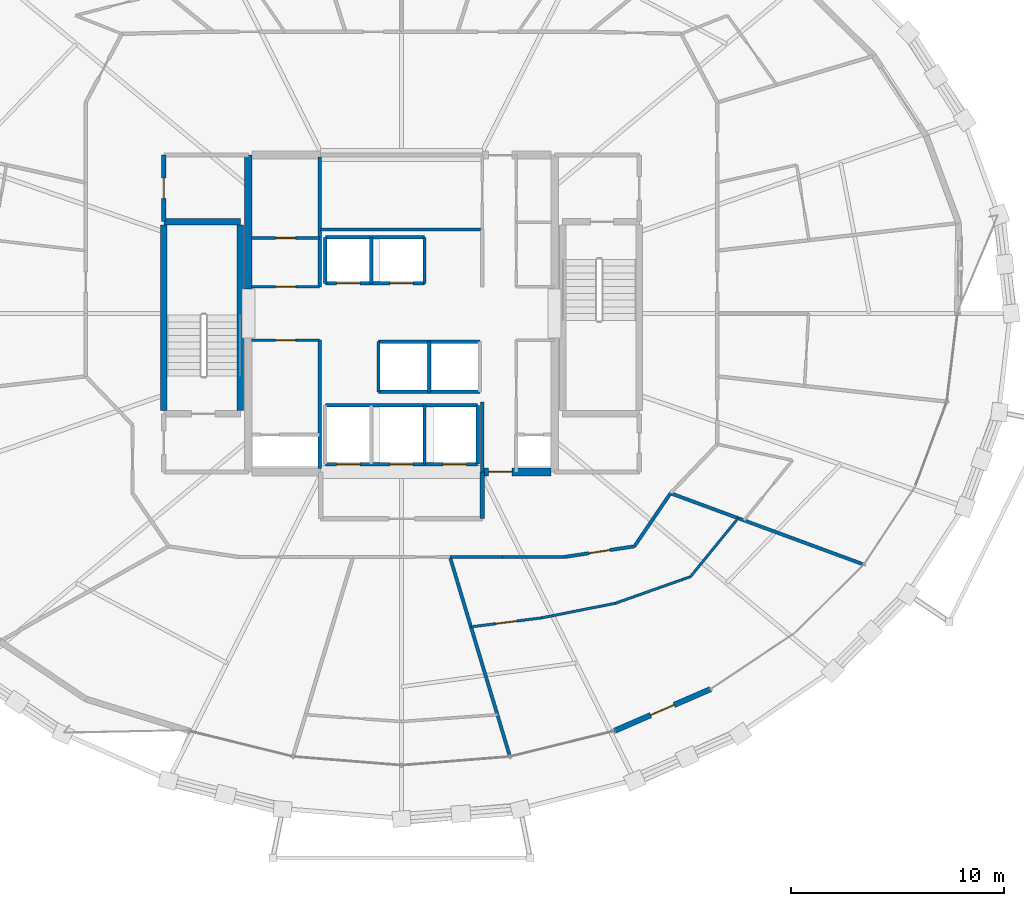
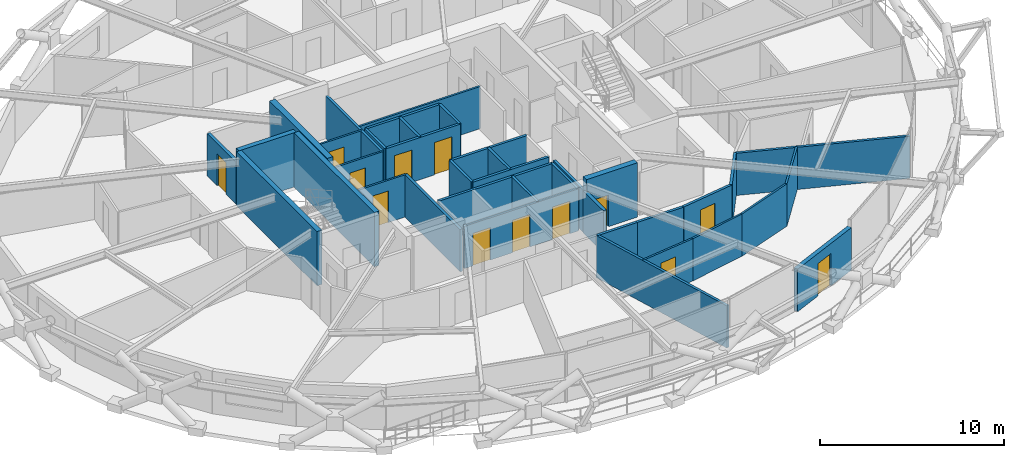
# One storey, part 15 of 21: 38 walls, 13 doors, 13 openings.
"""IFC4 building model written with IfcOpenShell, lengths in metres."""

from ifc_helpers import new_model, si_unit, direction, frame, frame_2d, origin, place, context, subcontext, project, spatial, rectangle, extrude, material, layer, layer_set, type_object, element, fill, save


model = new_model("IFC4")

# Units and contexts
model_context = context("Model", 3, precision=1e-05, world=origin(), true_north=direction((0.0, 1.0)))
body_context = subcontext(model_context, "Body", "Model", "MODEL_VIEW")
ifc_project = project(units=[si_unit("LENGTHUNIT", "METRE"), si_unit("AREAUNIT", "SQUARE_METRE"), si_unit("VOLUMEUNIT", "CUBIC_METRE"), si_unit("PLANEANGLEUNIT", "RADIAN"), si_unit("MASSUNIT", "GRAM", prefix="KILO")], contexts=[model_context])

# Site, building, storey
site_placement = place(None, origin())
site = spatial("IfcSite", under=ifc_project, at=site_placement, CompositionType="ELEMENT")
building_placement = place(site_placement, origin())
building = spatial("IfcBuilding", under=site, at=building_placement, Name="Veldorina Hangang Commons", CompositionType="ELEMENT")
storey_placement = place(building_placement, frame((0.0, 0.0, 120.800048828125)))
storey = spatial("IfcBuildingStorey", under=building, at=storey_placement, Name="L30", CompositionType="ELEMENT", Elevation=120.800048828125)

# Wall
ifc_material_1 = material(Name="Concrete C60/75", Category="concrete")
ifc_layer_1 = layer(ifc_material_1, 0.360107421875)
ifc_layer_set_1 = layer_set([ifc_layer_1], Name="Concrete C60/75")
wall_type_1 = type_object("IfcWallType", Name="CW-RC360-C60", PredefinedType="SHEAR", material=ifc_layer_set_1)
wall_1_placement = place(storey_placement, frame((24.800048828125, 25.14990234375, 0.0), z_axis=(0.0, 0.0, 1.0), x_axis=(0.0, 1.0, 0.0)))
element("IfcWall", 1, at=wall_1_placement, inside=storey, type_object=wall_type_1, Name="L30 W north core shear wall", PredefinedType="SHEAR", context=body_context, shape_type="SweptSolid", body=[
    extrude(rectangle(XDim=6.300048828125, YDim=0.360107421875, at=frame_2d((3.14990234375, 0.0))), origin(), (0.0, 0.0, 1.0), 3.599853515625),
])

# Wall, opening, door
wall_2_placement = place(storey_placement, frame((35.800048828125, 16.550048828125, 0.0), z_axis=(0.0, 0.0, 1.0), x_axis=(1.0, 0.0, 0.0)))
wall_2 = element("IfcWall", 2, at=wall_2_placement, inside=storey, type_object=wall_type_1, Name="L30 south-east core shear wall", PredefinedType="SHEAR", context=body_context, shape_type="SweptSolid", body=[
    extrude(rectangle(XDim=3.219970703125, YDim=0.360107421875, at=frame_2d((1.60986328125, 0.0))), origin(), (0.0, 0.0, 1.0), 3.599853515625),
])
opening_1_placement = place(wall_2_placement, frame((0.300048828125, 0.0, 0.0)))
opening_1 = element("IfcOpeningElement", 3, at=opening_1_placement, cuts=wall_2, Name="Opening D-08", PredefinedType="OPENING", context=body_context, shape_type="SweptSolid", body=[
    extrude(rectangle(XDim=1.10009765625, YDim=2.10009765625, at=frame_2d((0.550048828125, 1.050048828125))), frame((0.0, 0.18994140625, 0.0), z_axis=(0.0, -1.0, 0.0), x_axis=(1.0, 0.0, 0.0)), (0.0, 0.0, 1.0), 0.380126953125),
])
ifc_material_2 = material(Name="Steel Fire-Rated Smoke Seal", Category="steel")
door_type_1 = type_object("IfcDoorType", Name="DR-FIRE-1100", OperationType="SINGLE_SWING_RIGHT", PredefinedType="DOOR", material=ifc_material_2)
door_1_placement = place(opening_1_placement, origin())
door_1 = element("IfcDoor", 4, at=door_1_placement, inside=storey, type_object=door_type_1, Name="L30 central lift lobby south corridor door", OperationType="SINGLE_SWING_RIGHT", OverallHeight=2.10009765625, OverallWidth=1.10009765625, PredefinedType="DOOR", context=body_context, shape_type="SweptSolid", body=[
    extrude(rectangle(XDim=1.10009765625, YDim=2.10009765625, at=frame_2d((0.550048828125, 1.050048828125))), frame((0.0, 0.02490234375, 0.0), z_axis=(0.0, -1.0, 0.0), x_axis=(1.0, 0.0, 0.0)), (0.0, 0.0, 1.0), 0.050048828125),
])
fill(opening_1, door_1)

ifc_material_3 = material(Name="Stone Roman Travertine", Category="masonry")
ifc_layer_2 = layer(ifc_material_3, 0.260009765625)
ifc_layer_set_2 = layer_set([ifc_layer_2], Name="Stone Roman Travertine")
wall_type_2 = type_object("IfcWallType", Name="EW-LOGGIA-260", PredefinedType="STANDARD", material=ifc_layer_set_2)
wall_3_placement = place(storey_placement, frame((42.006103515625, 4.370361328125, 0.0), z_axis=(0.0, 0.0, 1.0), x_axis=(0.917222773232, 0.398374678242, 0.0)))
wall_3 = element("IfcWall", 5, at=wall_3_placement, inside=storey, type_object=wall_type_2, Name="L30 sky-garden loggia portal wall 26", PredefinedType="STANDARD", context=body_context, shape_type="SweptSolid", body=[
    extrude(rectangle(XDim=4.928466796875, YDim=0.260009765625, at=frame_2d((2.46435546875, 0.0))), origin(), (0.0, 0.0, 1.0), 2.820068359375),
])
opening_2_placement = place(wall_3_placement, frame((1.8642578125, 0.0, 0.0)))
opening_2 = element("IfcOpeningElement", 6, at=opening_2_placement, cuts=wall_3, Name="Opening BD-1200", PredefinedType="OPENING", context=body_context, shape_type="SweptSolid", body=[
    extrude(rectangle(XDim=1.199951171875, YDim=2.14990234375, at=frame_2d((0.60009765625, 1.074951171875))), frame((0.0, 0.14013671875, 0.0), z_axis=(0.0, -1.0, 0.0), x_axis=(1.0, 0.0, 0.0)), (0.0, 0.0, 1.0), 0.280029296875),
])
ifc_material_4 = material(Name="Glass Thermal Aluminium Frame", Category="aluminium")
door_type_2 = type_object("IfcDoorType", Name="DR-EXT-LOG1200", OperationType="SINGLE_SWING_LEFT", PredefinedType="DOOR", material=ifc_material_4)
door_2_placement = place(opening_2_placement, origin())
door_2 = element("IfcDoor", 7, at=door_2_placement, inside=storey, type_object=door_type_2, Name="L30 loggia glazed exterior door 26", OperationType="SINGLE_SWING_LEFT", OverallHeight=2.14990234375, OverallWidth=1.199951171875, PredefinedType="DOOR", context=body_context, shape_type="SweptSolid", body=[
    extrude(rectangle(XDim=1.199951171875, YDim=2.14990234375, at=frame_2d((0.60009765625, 1.074951171875))), frame((0.0, 0.02490234375, 0.0), z_axis=(0.0, -1.0, 0.0), x_axis=(1.0, 0.0, 0.0)), (0.0, 0.0, 1.0), 0.050048828125),
])
fill(opening_2, door_2)

# Walls
ifc_material_5 = material(Name="Concrete C50/60", Category="concrete")
ifc_layer_3 = layer(ifc_material_5, 0.300048828125)
ifc_layer_set_3 = layer_set([ifc_layer_3], Name="Concrete C50/60")
wall_type_3 = type_object("IfcWallType", Name="SW-STAIR-300", PredefinedType="SHEAR", material=ifc_layer_set_3)
for number, where, z_axis, x_axis, name in (
    (8, (20.820068359375, 19.429931640625, 0.0), (0.0, 0.0, 1.0), (0.0, 1.0, 0.0), "L30 ST1 outer stair shear wall"),
    (9, (24.419921875, 19.429931640625, 0.0), (0.0, 0.0, 1.0), (0.0, 1.0, 0.0), "L30 ST1 inner stair shear wall"),
):
    element("IfcWall", number, at=place(storey_placement, frame(where, z_axis=z_axis, x_axis=x_axis)), inside=storey, type_object=wall_type_3, Name=name, PredefinedType="SHEAR", context=body_context, shape_type="SweptSolid", body=[
        extrude(rectangle(XDim=8.739990234375, YDim=0.300048828125, at=frame_2d((4.3701171875, 0.0))), origin(), (0.0, 0.0, 1.0), 3.599853515625),
    ])
wall_4_placement = place(storey_placement, frame((20.820068359375, 28.320068359375, 0.0), z_axis=(0.0, 0.0, 1.0), x_axis=(1.0, 0.0, 0.0)))
element("IfcWall", 10, at=wall_4_placement, inside=storey, type_object=wall_type_3, Name="L30 ST1 north stair shear wall", PredefinedType="SHEAR", context=body_context, shape_type="SweptSolid", body=[
    extrude(rectangle(XDim=3.599853515625, YDim=0.300048828125, at=frame_2d((1.7998046875, 0.0))), origin(), (0.0, 0.0, 1.0), 3.599853515625),
])
ifc_material_6 = material(Name="Gypsum Fire-Rated Twin Stud Wall", Category="gypsum")
ifc_layer_4 = layer(ifc_material_6, 0.159912109375)
ifc_layer_set_4 = layer_set([ifc_layer_4], Name="Gypsum Fire-Rated Twin Stud Wall")
wall_type_4 = type_object("IfcWallType", Name="WL-FIRE-160", PredefinedType="SOLIDWALL", material=ifc_layer_set_4)
wall_5_placement = place(storey_placement, frame((35.800048828125, 16.550048828125, 0.0), z_axis=(0.0, 0.0, 1.0), x_axis=(0.0, 1.0, 0.0)))
element("IfcWall", 11, at=wall_5_placement, inside=storey, type_object=wall_type_4, Name="L30 Lift passage SW wall 009", PredefinedType="SOLIDWALL", context=body_context, shape_type="SweptSolid", body=[
    extrude(rectangle(XDim=3.300048828125, YDim=0.159912109375, at=frame_2d((1.64990234375, 0.0))), origin(), (0.0, 0.0, 1.0), 2.800048828125),
])

# Wall, openings, doors
wall_6_placement = place(storey_placement, frame((28.419921875, 25.419921875, 0.0), z_axis=(0.0, 0.0, 1.0), x_axis=(1.0, 0.0, 0.0)))
wall_6 = element("IfcWall", 12, at=wall_6_placement, inside=storey, type_object=wall_type_4, Name="L30 Mid-high front shaft wall 015", PredefinedType="SOLIDWALL", context=body_context, shape_type="SweptSolid", body=[
    extrude(rectangle(XDim=4.66015625, YDim=0.159912109375, at=frame_2d((2.330078125, 0.0))), origin(), (0.0, 0.0, 1.0), 2.800048828125),
])
opening_3_placement = place(wall_6_placement, frame((0.530029296875, 0.0, 0.0)))
opening_3 = element("IfcOpeningElement", 13, at=opening_3_placement, cuts=wall_6, Name="Opening LD-01", PredefinedType="OPENING", context=body_context, shape_type="SweptSolid", body=[
    extrude(rectangle(XDim=1.10009765625, YDim=2.14990234375, at=frame_2d((0.550048828125, 1.074951171875))), frame((0.0, 0.08984375, 0.0), z_axis=(0.0, -1.0, 0.0), x_axis=(1.0, 0.0, 0.0)), (0.0, 0.0, 1.0), 0.179931640625),
])
opening_4_placement = place(wall_6_placement, frame((3.030029296875, 0.0, 0.0)))
opening_4 = element("IfcOpeningElement", 14, at=opening_4_placement, cuts=wall_6, Name="Opening LD-01", PredefinedType="OPENING", context=body_context, shape_type="SweptSolid", body=[
    extrude(rectangle(XDim=1.10009765625, YDim=2.14990234375, at=frame_2d((0.550048828125, 1.074951171875))), frame((0.0, 0.08984375, 0.0), z_axis=(0.0, -1.0, 0.0), x_axis=(1.0, 0.0, 0.0)), (0.0, 0.0, 1.0), 0.179931640625),
])
ifc_material_7 = material(Name="Stainless Steel Brushed Lift Door", Category="steel")
door_type_3 = type_object("IfcDoorType", Name="DR-LIFT-1100", OperationType="SLIDING_TO_LEFT", PredefinedType="DOOR", material=ifc_material_7)
door_3_placement = place(opening_3_placement, origin())
door_3 = element("IfcDoor", 15, at=door_3_placement, inside=storey, type_object=door_type_3, Name="L30 Lift PL-M1 landing door 006", OperationType="SLIDING_TO_RIGHT", OverallHeight=2.14990234375, OverallWidth=1.10009765625, PredefinedType="DOOR", context=body_context, shape_type="SweptSolid", body=[
    extrude(rectangle(XDim=1.10009765625, YDim=2.14990234375, at=frame_2d((0.550048828125, 1.074951171875))), frame((0.0, 0.02490234375, 0.0), z_axis=(0.0, -1.0, 0.0), x_axis=(1.0, 0.0, 0.0)), (0.0, 0.0, 1.0), 0.050048828125),
])
fill(opening_3, door_3)
door_4_placement = place(opening_4_placement, origin())
door_4 = element("IfcDoor", 16, at=door_4_placement, inside=storey, type_object=door_type_3, Name="L30 Lift PL-M2 landing door 007", OperationType="SLIDING_TO_RIGHT", OverallHeight=2.14990234375, OverallWidth=1.10009765625, PredefinedType="DOOR", context=body_context, shape_type="SweptSolid", body=[
    extrude(rectangle(XDim=1.10009765625, YDim=2.14990234375, at=frame_2d((0.550048828125, 1.074951171875))), frame((0.0, 0.02490234375, 0.0), z_axis=(0.0, -1.0, 0.0), x_axis=(1.0, 0.0, 0.0)), (0.0, 0.0, 1.0), 0.050048828125),
])
fill(opening_4, door_4)

# Walls
wall_7_placement = place(storey_placement, frame((28.419921875, 27.580078125, 0.0), z_axis=(0.0, 0.0, 1.0), x_axis=(1.0, 0.0, 0.0)))
element("IfcWall", 17, at=wall_7_placement, inside=storey, type_object=wall_type_4, Name="L30 Mid-high rear shaft wall 016", PredefinedType="SOLIDWALL", context=body_context, shape_type="SweptSolid", body=[
    extrude(rectangle(XDim=4.66015625, YDim=0.159912109375, at=frame_2d((2.330078125, 0.0))), origin(), (0.0, 0.0, 1.0), 2.800048828125),
])
for number, where, z_axis, x_axis, name in (
    (18, (28.419921875, 25.419921875, 0.0), (0.0, 0.0, 1.0), (0.0, 1.0, 0.0), "L30 PL-M1 west shaft wall 017"),
    (19, (30.580078125, 25.419921875, 0.0), (0.0, 0.0, 1.0), (0.0, 1.0, 0.0), "L30 PL-M1 east shaft wall 018"),
    (20, (33.080078125, 25.419921875, 0.0), (0.0, 0.0, 1.0), (0.0, 1.0, 0.0), "L30 PL-M2 east shaft wall 019"),
):
    element("IfcWall", number, at=place(storey_placement, frame(where, z_axis=z_axis, x_axis=x_axis)), inside=storey, type_object=wall_type_4, Name=name, PredefinedType="SOLIDWALL", context=body_context, shape_type="SweptSolid", body=[
        extrude(rectangle(XDim=2.16015625, YDim=0.159912109375, at=frame_2d((1.080078125, 0.0))), origin(), (0.0, 0.0, 1.0), 2.800048828125),
    ])
for number, where, z_axis, x_axis, name in (
    (21, (30.919921875, 22.679931640625, 0.0), (0.0, 0.0, 1.0), (1.0, 0.0, 0.0), "L30 Shuttle-high front shaft wall 020"),
    (22, (30.919921875, 20.320068359375, 0.0), (0.0, 0.0, 1.0), (1.0, 0.0, 0.0), "L30 Shuttle-high rear shaft wall 021"),
):
    element("IfcWall", number, at=place(storey_placement, frame(where, z_axis=z_axis, x_axis=x_axis)), inside=storey, type_object=wall_type_4, Name=name, PredefinedType="SOLIDWALL", context=body_context, shape_type="SweptSolid", body=[
        extrude(rectangle(XDim=4.760009765625, YDim=0.159912109375, at=frame_2d((2.3798828125, 0.0))), origin(), (0.0, 0.0, 1.0), 2.800048828125),
    ])
for number, where, z_axis, x_axis, name in (
    (23, (30.919921875, 20.320068359375, 0.0), (0.0, 0.0, 1.0), (0.0, 1.0, 0.0), "L30 SL-1 west shaft wall 022"),
    (24, (33.300048828125, 20.320068359375, 0.0), (0.0, 0.0, 1.0), (0.0, 1.0, 0.0), "L30 SL-1 east shaft wall 023"),
):
    element("IfcWall", number, at=place(storey_placement, frame(where, z_axis=z_axis, x_axis=x_axis)), inside=storey, type_object=wall_type_4, Name=name, PredefinedType="SOLIDWALL", context=body_context, shape_type="SweptSolid", body=[
        extrude(rectangle(XDim=2.35986328125, YDim=0.159912109375, at=frame_2d((1.179931640625, 0.0))), origin(), (0.0, 0.0, 1.0), 2.800048828125),
    ])

# Wall, openings, doors
wall_8_placement = place(storey_placement, frame((28.419921875, 16.919921875, 0.0), z_axis=(0.0, 0.0, 1.0), x_axis=(1.0, 0.0, 0.0)))
wall_8 = element("IfcWall", 25, at=wall_8_placement, inside=storey, type_object=wall_type_4, Name="L30 Emergency front shaft wall 025", PredefinedType="SOLIDWALL", context=body_context, shape_type="SweptSolid", body=[
    extrude(rectangle(XDim=7.16015625, YDim=0.159912109375, at=frame_2d((3.580078125, 0.0))), origin(), (0.0, 0.0, 1.0), 2.800048828125),
])
opening_5_placement = place(wall_8_placement, frame((0.530029296875, 0.0, 0.0)))
opening_5 = element("IfcOpeningElement", 26, at=opening_5_placement, cuts=wall_8, Name="Opening LD-03", PredefinedType="OPENING", context=body_context, shape_type="SweptSolid", body=[
    extrude(rectangle(XDim=1.10009765625, YDim=2.14990234375, at=frame_2d((0.550048828125, 1.074951171875))), frame((0.0, 0.08984375, 0.0), z_axis=(0.0, -1.0, 0.0), x_axis=(1.0, 0.0, 0.0)), (0.0, 0.0, 1.0), 0.179931640625),
])
opening_6_placement = place(wall_8_placement, frame((3.030029296875, 0.0, 0.0)))
opening_6 = element("IfcOpeningElement", 27, at=opening_6_placement, cuts=wall_8, Name="Opening LD-03", PredefinedType="OPENING", context=body_context, shape_type="SweptSolid", body=[
    extrude(rectangle(XDim=1.10009765625, YDim=2.14990234375, at=frame_2d((0.550048828125, 1.074951171875))), frame((0.0, 0.08984375, 0.0), z_axis=(0.0, -1.0, 0.0), x_axis=(1.0, 0.0, 0.0)), (0.0, 0.0, 1.0), 0.179931640625),
])
opening_7_placement = place(wall_8_placement, frame((5.530029296875, 0.0, 0.0)))
opening_7 = element("IfcOpeningElement", 28, at=opening_7_placement, cuts=wall_8, Name="Opening LD-03", PredefinedType="OPENING", context=body_context, shape_type="SweptSolid", body=[
    extrude(rectangle(XDim=1.10009765625, YDim=2.14990234375, at=frame_2d((0.550048828125, 1.074951171875))), frame((0.0, 0.08984375, 0.0), z_axis=(0.0, -1.0, 0.0), x_axis=(1.0, 0.0, 0.0)), (0.0, 0.0, 1.0), 0.179931640625),
])
ifc_material_8 = material(Name="Stainless Steel Firefighting Lift Door", Category="steel")
door_type_4 = type_object("IfcDoorType", Name="DR-LIFT-FF1100", OperationType="SLIDING_TO_RIGHT", PredefinedType="DOOR", material=ifc_material_8)
door_5_placement = place(opening_5_placement, origin())
door_5 = element("IfcDoor", 29, at=door_5_placement, inside=storey, type_object=door_type_4, Name="L30 Emergency lift FFL-1 landing door 008", OperationType="SLIDING_TO_RIGHT", OverallHeight=2.14990234375, OverallWidth=1.10009765625, PredefinedType="DOOR", context=body_context, shape_type="SweptSolid", body=[
    extrude(rectangle(XDim=1.10009765625, YDim=2.14990234375, at=frame_2d((0.550048828125, 1.074951171875))), frame((0.0, 0.02490234375, 0.0), z_axis=(0.0, -1.0, 0.0), x_axis=(1.0, 0.0, 0.0)), (0.0, 0.0, 1.0), 0.050048828125),
])
fill(opening_5, door_5)
door_6_placement = place(opening_6_placement, origin())
door_6 = element("IfcDoor", 30, at=door_6_placement, inside=storey, type_object=door_type_4, Name="L30 Emergency lift FFL-2 landing door 009", OperationType="SLIDING_TO_RIGHT", OverallHeight=2.14990234375, OverallWidth=1.10009765625, PredefinedType="DOOR", context=body_context, shape_type="SweptSolid", body=[
    extrude(rectangle(XDim=1.10009765625, YDim=2.14990234375, at=frame_2d((0.550048828125, 1.074951171875))), frame((0.0, 0.02490234375, 0.0), z_axis=(0.0, -1.0, 0.0), x_axis=(1.0, 0.0, 0.0)), (0.0, 0.0, 1.0), 0.050048828125),
])
fill(opening_6, door_6)
door_7_placement = place(opening_7_placement, origin())
door_7 = element("IfcDoor", 31, at=door_7_placement, inside=storey, type_object=door_type_4, Name="L30 Emergency lift EVL-1 landing door 010", OperationType="SLIDING_TO_RIGHT", OverallHeight=2.14990234375, OverallWidth=1.10009765625, PredefinedType="DOOR", context=body_context, shape_type="SweptSolid", body=[
    extrude(rectangle(XDim=1.10009765625, YDim=2.14990234375, at=frame_2d((0.550048828125, 1.074951171875))), frame((0.0, 0.02490234375, 0.0), z_axis=(0.0, -1.0, 0.0), x_axis=(1.0, 0.0, 0.0)), (0.0, 0.0, 1.0), 0.050048828125),
])
fill(opening_7, door_7)

# Walls
wall_9_placement = place(storey_placement, frame((28.419921875, 19.679931640625, 0.0), z_axis=(0.0, 0.0, 1.0), x_axis=(1.0, 0.0, 0.0)))
element("IfcWall", 32, at=wall_9_placement, inside=storey, type_object=wall_type_4, Name="L30 Emergency rear shaft wall 026", PredefinedType="SOLIDWALL", context=body_context, shape_type="SweptSolid", body=[
    extrude(rectangle(XDim=7.16015625, YDim=0.159912109375, at=frame_2d((3.580078125, 0.0))), origin(), (0.0, 0.0, 1.0), 2.800048828125),
])
for number, where, z_axis, x_axis, name in (
    (33, (33.080078125, 16.919921875, 0.0), (0.0, 0.0, 1.0), (0.0, 1.0, 0.0), "L30 FFL-2 east shaft wall 029"),
    (34, (35.580078125, 16.919921875, 0.0), (0.0, 0.0, 1.0), (0.0, 1.0, 0.0), "L30 EVL-1 east shaft wall 030"),
):
    element("IfcWall", number, at=place(storey_placement, frame(where, z_axis=z_axis, x_axis=x_axis)), inside=storey, type_object=wall_type_4, Name=name, PredefinedType="SOLIDWALL", context=body_context, shape_type="SweptSolid", body=[
        extrude(rectangle(XDim=2.760009765625, YDim=0.159912109375, at=frame_2d((1.3798828125, 0.0))), origin(), (0.0, 0.0, 1.0), 2.800048828125),
    ])
wall_10_placement = place(storey_placement, frame((28.14990234375, 16.699951171875, 0.0), z_axis=(0.0, 0.0, 1.0), x_axis=(0.0, 1.0, 0.0)))
element("IfcWall", 35, at=wall_10_placement, inside=storey, type_object=wall_type_4, Name="L30 SW core inner wall 035", PredefinedType="SOLIDWALL", context=body_context, shape_type="SweptSolid", body=[
    extrude(rectangle(XDim=6.050048828125, YDim=0.159912109375, at=frame_2d((3.02490234375, 0.0))), origin(), (0.0, 0.0, 1.0), 2.800048828125),
])
wall_11_placement = place(storey_placement, frame((28.14990234375, 25.25, 0.0), z_axis=(0.0, 0.0, 1.0), x_axis=(0.0, 1.0, 0.0)))
element("IfcWall", 36, at=wall_11_placement, inside=storey, type_object=wall_type_4, Name="L30 NW core inner wall 037", PredefinedType="SOLIDWALL", context=body_context, shape_type="SweptSolid", body=[
    extrude(rectangle(XDim=6.10009765625, YDim=0.159912109375, at=frame_2d((3.050048828125, 0.0))), origin(), (0.0, 0.0, 1.0), 2.800048828125),
])
wall_12_placement = place(storey_placement, frame((34.277587890625, 12.550048828125, 0.0), z_axis=(0.0, 0.0, 1.0), x_axis=(1.0, 0.0, 0.0)))
element("IfcWall", 37, at=wall_12_placement, inside=storey, type_object=wall_type_4, Name="L30 U-corridor outer wall 25 071", PredefinedType="SOLIDWALL", context=body_context, shape_type="SweptSolid", body=[
    extrude(rectangle(XDim=2.465087890625, YDim=0.159912109375, at=frame_2d((1.232421875, 0.0))), origin(), (0.0, 0.0, 1.0), 2.800048828125),
])
wall_13_placement = place(storey_placement, frame((36.74267578125, 12.550048828125, 0.0), z_axis=(0.0, 0.0, 1.0), x_axis=(1.0, 0.0, 0.0)))
element("IfcWall", 38, at=wall_13_placement, inside=storey, type_object=wall_type_4, Name="L30 U-corridor outer wall 26 072", PredefinedType="SOLIDWALL", context=body_context, shape_type="SweptSolid", body=[
    extrude(rectangle(XDim=2.907958984375, YDim=0.159912109375, at=frame_2d((1.4541015625, 0.0))), origin(), (0.0, 0.0, 1.0), 2.800048828125),
])

# Wall, opening, door
wall_14_placement = place(storey_placement, frame((39.650634765625, 12.550048828125, 0.0), z_axis=(0.0, 0.0, 1.0), x_axis=(0.988710906508, 0.149835721217, 0.0)))
wall_14 = element("IfcWall", 39, at=wall_14_placement, inside=storey, type_object=wall_type_4, Name="L30 U-corridor outer wall 27 073", PredefinedType="SOLIDWALL", context=body_context, shape_type="SweptSolid", body=[
    extrude(rectangle(XDim=3.3369140625, YDim=0.159912109375, at=frame_2d((1.66845703125, 0.0))), origin(), (0.0, 0.0, 1.0), 2.800048828125),
])
opening_8_placement = place(wall_14_placement, frame((1.16845703125, 0.0, 0.0)))
opening_8 = element("IfcOpeningElement", 40, at=opening_8_placement, cuts=wall_14, Name="Opening D-05", PredefinedType="OPENING", context=body_context, shape_type="SweptSolid", body=[
    extrude(rectangle(XDim=1.0, YDim=2.10009765625, at=frame_2d((0.5, 1.050048828125))), frame((0.0, 0.08984375, 0.0), z_axis=(0.0, -1.0, 0.0), x_axis=(1.0, 0.0, 0.0)), (0.0, 0.0, 1.0), 0.179931640625),
])
ifc_material_9 = material(Name="Timber Solid Core Acoustic", Category="wood")
door_type_5 = type_object("IfcDoorType", Name="DR-INT-1000", OperationType="SINGLE_SWING_RIGHT", PredefinedType="DOOR", material=ifc_material_9)
door_8_placement = place(opening_8_placement, origin())
door_8 = element("IfcDoor", 41, at=door_8_placement, inside=storey, type_object=door_type_5, Name="L30 Commons alcove door 020", OperationType="SINGLE_SWING_RIGHT", OverallHeight=2.10009765625, OverallWidth=1.0, PredefinedType="DOOR", context=body_context, shape_type="SweptSolid", body=[
    extrude(rectangle(XDim=1.0, YDim=2.10009765625, at=frame_2d((0.5, 1.050048828125))), frame((0.0, 0.02490234375, 0.0), z_axis=(0.0, -1.0, 0.0), x_axis=(1.0, 0.0, 0.0)), (0.0, 0.0, 1.0), 0.050048828125),
])
fill(opening_8, door_8)

# Walls
wall_15_placement = place(storey_placement, frame((42.949951171875, 13.050048828125, 0.0), z_axis=(0.0, 0.0, 1.0), x_axis=(0.562674669208, 0.826678423955, 0.0)))
element("IfcWall", 42, at=wall_15_placement, inside=storey, type_object=wall_type_4, Name="L30 U-corridor outer wall 28 074", PredefinedType="SOLIDWALL", context=body_context, shape_type="SweptSolid", body=[
    extrude(rectangle(XDim=3.021240234375, YDim=0.159912109375, at=frame_2d((1.5107421875, 0.0))), origin(), (0.0, 0.0, 1.0), 2.800048828125),
])
wall_16_placement = place(storey_placement, frame((34.277587890625, 12.550048828125, 0.0), z_axis=(0.0, 0.0, 1.0), x_axis=(0.287990783487, -0.957633180621, 0.0)))
element("IfcWall", 43, at=wall_16_placement, inside=storey, type_object=wall_type_4, Name="L30 Unit party wall 25 078", PredefinedType="SOLIDWALL", context=body_context, shape_type="SweptSolid", body=[
    extrude(rectangle(XDim=9.754150390625, YDim=0.159912109375, at=frame_2d((4.876953125, 0.0))), origin(), (0.0, 0.0, 1.0), 2.800048828125),
])
wall_17_placement = place(storey_placement, frame((44.64990234375, 15.547607421875, 0.0), z_axis=(0.0, 0.0, 1.0), x_axis=(0.938256165997, -0.345941276764, 0.0)))
element("IfcWall", 44, at=wall_17_placement, inside=storey, type_object=wall_type_4, Name="L30 Unit party wall 29 083", PredefinedType="SOLIDWALL", context=body_context, shape_type="SweptSolid", body=[
    extrude(rectangle(XDim=9.638916015625, YDim=0.159912109375, at=frame_2d((4.8193359375, 0.0))), origin(), (0.0, 0.0, 1.0), 2.800048828125),
])

# Wall, opening, door
ifc_material_10 = material(Name="Concrete Blockwork Fire Wall C30/37", Category="masonry")
ifc_layer_5 = layer(ifc_material_10, 0.199951171875)
ifc_layer_set_5 = layer_set([ifc_layer_5], Name="Concrete Blockwork Fire Wall C30/37")
wall_type_5 = type_object("IfcWallType", Name="WL-FIRE-200", PredefinedType="SOLIDWALL", material=ifc_layer_set_5)
wall_18_placement = place(storey_placement, frame((20.820068359375, 28.320068359375, 0.0), z_axis=(0.0, 0.0, 1.0), x_axis=(0.0, 1.0, 0.0)))
wall_18 = element("IfcWall", 45, at=wall_18_placement, inside=storey, type_object=wall_type_5, Name="L30 NW core room outer wall 005", PredefinedType="SOLIDWALL", context=body_context, shape_type="SweptSolid", body=[
    extrude(rectangle(XDim=3.1298828125, YDim=0.199951171875, at=frame_2d((1.56494140625, 0.0))), origin(), (0.0, 0.0, 1.0), 2.800048828125),
])
opening_9_placement = place(wall_18_placement, frame((1.090087890625, 0.0, 0.0)))
opening_9 = element("IfcOpeningElement", 46, at=opening_9_placement, cuts=wall_18, Name="Opening D-04", PredefinedType="OPENING", context=body_context, shape_type="SweptSolid", body=[
    extrude(rectangle(XDim=0.949951171875, YDim=2.10009765625, at=frame_2d((0.47509765625, 1.050048828125))), frame((0.0, 0.10986328125, 0.0), z_axis=(0.0, -1.0, 0.0), x_axis=(1.0, 0.0, 0.0)), (0.0, 0.0, 1.0), 0.219970703125),
])
ifc_material_11 = material(Name="Timber Accessible Flush Leaf", Category="wood")
door_type_6 = type_object("IfcDoorType", Name="DR-ACC-950", OperationType="SINGLE_SWING_LEFT", PredefinedType="DOOR", material=ifc_material_11)
door_9_placement = place(opening_9_placement, origin())
door_9 = element("IfcDoor", 47, at=door_9_placement, inside=storey, type_object=door_type_6, Name="L30 NW core WC door 003", OperationType="SINGLE_SWING_LEFT", OverallHeight=2.10009765625, OverallWidth=0.949951171875, PredefinedType="DOOR", context=body_context, shape_type="SweptSolid", body=[
    extrude(rectangle(XDim=0.949951171875, YDim=2.10009765625, at=frame_2d((0.47509765625, 1.050048828125))), frame((0.0, 0.02490234375, 0.0), z_axis=(0.0, -1.0, 0.0), x_axis=(1.0, 0.0, 0.0)), (0.0, 0.0, 1.0), 0.050048828125),
])
fill(opening_9, door_9)

# Walls
wall_19_placement = place(storey_placement, frame((35.800048828125, 14.35009765625, 0.0), z_axis=(0.0, 0.0, 1.0), x_axis=(0.0, 1.0, 0.0)))
element("IfcWall", 48, at=wall_19_placement, inside=storey, type_object=wall_type_5, Name="L30 FF lobby east wall 013", PredefinedType="SOLIDWALL", context=body_context, shape_type="SweptSolid", body=[
    extrude(rectangle(XDim=2.199951171875, YDim=0.199951171875, at=frame_2d((1.10009765625, 0.0))), origin(), (0.0, 0.0, 1.0), 2.800048828125),
])
ifc_material_12 = material(Name="Gypsum Acoustic Stud Partition", Category="gypsum")
ifc_layer_6 = layer(ifc_material_12, 0.1201171875)
ifc_layer_set_6 = layer_set([ifc_layer_6], Name="Gypsum Acoustic Stud Partition")
wall_type_6 = type_object("IfcWallType", Name="WL-PART-120", PredefinedType="PARTITIONING", material=ifc_layer_set_6)
wall_20_placement = place(storey_placement, frame((28.199951171875, 27.949951171875, 0.0), z_axis=(0.0, 0.0, 1.0), x_axis=(1.0, 0.0, 0.0)))
element("IfcWall", 49, at=wall_20_placement, inside=storey, type_object=wall_type_6, Name="L30 Merged north south wall 032", PredefinedType="PARTITIONING", context=body_context, shape_type="SweptSolid", body=[
    extrude(rectangle(XDim=7.60009765625, YDim=0.1201171875, at=frame_2d((3.800048828125, 0.0))), origin(), (0.0, 0.0, 1.0), 2.800048828125),
])

# Wall, opening, door
wall_21_placement = place(storey_placement, frame((24.949951171875, 25.25, 0.0), z_axis=(0.0, 0.0, 1.0), x_axis=(1.0, 0.0, 0.0)))
wall_21 = element("IfcWall", 50, at=wall_21_placement, inside=storey, type_object=wall_type_6, Name="L30 NW service south wall 038", PredefinedType="PARTITIONING", context=body_context, shape_type="SweptSolid", body=[
    extrude(rectangle(XDim=3.199951171875, YDim=0.1201171875, at=frame_2d((1.60009765625, 0.0))), origin(), (0.0, 0.0, 1.0), 2.800048828125),
])
opening_10_placement = place(wall_21_placement, frame((1.125, 0.0, 0.0)))
opening_10 = element("IfcOpeningElement", 51, at=opening_10_placement, cuts=wall_21, Name="Opening D-02", PredefinedType="OPENING", context=body_context, shape_type="SweptSolid", body=[
    extrude(rectangle(XDim=0.949951171875, YDim=2.10009765625, at=frame_2d((0.47509765625, 1.050048828125))), frame((0.0, 0.070068359375, 0.0), z_axis=(0.0, -1.0, 0.0), x_axis=(1.0, 0.0, 0.0)), (0.0, 0.0, 1.0), 0.14013671875),
])
door_type_7 = type_object("IfcDoorType", Name="DR-INT-950", OperationType="SINGLE_SWING_LEFT", PredefinedType="DOOR", material=ifc_material_9)
door_10_placement = place(opening_10_placement, origin())
door_10 = element("IfcDoor", 52, at=door_10_placement, inside=storey, type_object=door_type_7, Name="L30 Housekeeping pantry door 014", OperationType="SINGLE_SWING_RIGHT", OverallHeight=2.10009765625, OverallWidth=0.949951171875, PredefinedType="DOOR", context=body_context, shape_type="SweptSolid", body=[
    extrude(rectangle(XDim=0.949951171875, YDim=2.10009765625, at=frame_2d((0.47509765625, 1.050048828125))), frame((0.0, 0.02490234375, 0.0), z_axis=(0.0, -1.0, 0.0), x_axis=(1.0, 0.0, 0.0)), (0.0, 0.0, 1.0), 0.050048828125),
])
fill(opening_10, door_10)

wall_22_placement = place(storey_placement, frame((24.949951171875, 22.75, 0.0), z_axis=(0.0, 0.0, 1.0), x_axis=(1.0, 0.0, 0.0)))
wall_22 = element("IfcWall", 53, at=wall_22_placement, inside=storey, type_object=wall_type_6, Name="L30 SW service north wall 039", PredefinedType="PARTITIONING", context=body_context, shape_type="SweptSolid", body=[
    extrude(rectangle(XDim=3.199951171875, YDim=0.1201171875, at=frame_2d((1.60009765625, 0.0))), origin(), (0.0, 0.0, 1.0), 2.800048828125),
])
opening_11_placement = place(wall_22_placement, frame((1.125, 0.0, 0.0)))
opening_11 = element("IfcOpeningElement", 54, at=opening_11_placement, cuts=wall_22, Name="Opening D-02", PredefinedType="OPENING", context=body_context, shape_type="SweptSolid", body=[
    extrude(rectangle(XDim=0.949951171875, YDim=2.10009765625, at=frame_2d((0.47509765625, 1.050048828125))), frame((0.0, 0.070068359375, 0.0), z_axis=(0.0, -1.0, 0.0), x_axis=(1.0, 0.0, 0.0)), (0.0, 0.0, 1.0), 0.14013671875),
])
door_11_placement = place(opening_11_placement, origin())
door_11 = element("IfcDoor", 55, at=door_11_placement, inside=storey, type_object=door_type_7, Name="L30 Waste sorting door 016", OperationType="SINGLE_SWING_RIGHT", OverallHeight=2.10009765625, OverallWidth=0.949951171875, PredefinedType="DOOR", context=body_context, shape_type="SweptSolid", body=[
    extrude(rectangle(XDim=0.949951171875, YDim=2.10009765625, at=frame_2d((0.47509765625, 1.050048828125))), frame((0.0, 0.02490234375, 0.0), z_axis=(0.0, -1.0, 0.0), x_axis=(1.0, 0.0, 0.0)), (0.0, 0.0, 1.0), 0.050048828125),
])
fill(opening_11, door_11)

wall_23_placement = place(storey_placement, frame((24.949951171875, 27.550048828125, 0.0), z_axis=(0.0, 0.0, 1.0), x_axis=(1.0, 0.0, 0.0)))
wall_23 = element("IfcWall", 56, at=wall_23_placement, inside=storey, type_object=wall_type_6, Name="L30 NW mid wall 044", PredefinedType="PARTITIONING", context=body_context, shape_type="SweptSolid", body=[
    extrude(rectangle(XDim=3.199951171875, YDim=0.1201171875, at=frame_2d((1.60009765625, 0.0))), origin(), (0.0, 0.0, 1.0), 2.800048828125),
])
opening_12_placement = place(wall_23_placement, frame((1.125, 0.0, 0.0)))
opening_12 = element("IfcOpeningElement", 57, at=opening_12_placement, cuts=wall_23, Name="Opening D-02", PredefinedType="OPENING", context=body_context, shape_type="SweptSolid", body=[
    extrude(rectangle(XDim=0.949951171875, YDim=2.10009765625, at=frame_2d((0.47509765625, 1.050048828125))), frame((0.0, 0.070068359375, 0.0), z_axis=(0.0, -1.0, 0.0), x_axis=(1.0, 0.0, 0.0)), (0.0, 0.0, 1.0), 0.14013671875),
])
door_12_placement = place(opening_12_placement, origin())
door_12 = element("IfcDoor", 58, at=door_12_placement, inside=storey, type_object=door_type_7, Name="L30 Bedding store door 015", OperationType="SINGLE_SWING_LEFT", OverallHeight=2.10009765625, OverallWidth=0.949951171875, PredefinedType="DOOR", context=body_context, shape_type="SweptSolid", body=[
    extrude(rectangle(XDim=0.949951171875, YDim=2.10009765625, at=frame_2d((0.47509765625, 1.050048828125))), frame((0.0, 0.02490234375, 0.0), z_axis=(0.0, -1.0, 0.0), x_axis=(1.0, 0.0, 0.0)), (0.0, 0.0, 1.0), 0.050048828125),
])
fill(opening_12, door_12)

wall_24_placement = place(storey_placement, frame((35.265625, 9.263916015625, 0.0), z_axis=(0.0, 0.0, 1.0), x_axis=(0.991974135638, 0.126440951534, 0.0)))
wall_24 = element("IfcWall", 59, at=wall_24_placement, inside=storey, type_object=wall_type_6, Name="L30 Lounge alcove split 0 079", PredefinedType="PARTITIONING", context=body_context, shape_type="SweptSolid", body=[
    extrude(rectangle(XDim=3.34619140625, YDim=0.1201171875, at=frame_2d((1.673095703125, 0.0))), origin(), (0.0, 0.0, 1.0), 2.800048828125),
])
opening_13_placement = place(wall_24_placement, frame((1.173095703125, 0.0, 0.0)))
opening_13 = element("IfcOpeningElement", 60, at=opening_13_placement, cuts=wall_24, Name="Opening D-05", PredefinedType="OPENING", context=body_context, shape_type="SweptSolid", body=[
    extrude(rectangle(XDim=1.0, YDim=2.10009765625, at=frame_2d((0.5, 1.050048828125))), frame((0.0, 0.070068359375, 0.0), z_axis=(0.0, -1.0, 0.0), x_axis=(1.0, 0.0, 0.0)), (0.0, 0.0, 1.0), 0.14013671875),
])
door_13_placement = place(opening_13_placement, origin())
door_13 = element("IfcDoor", 61, at=door_13_placement, inside=storey, type_object=door_type_5, Name="L30 Commons lounge door 021", OperationType="SINGLE_SWING_LEFT", OverallHeight=2.10009765625, OverallWidth=1.0, PredefinedType="DOOR", context=body_context, shape_type="SweptSolid", body=[
    extrude(rectangle(XDim=1.0, YDim=2.10009765625, at=frame_2d((0.5, 1.050048828125))), frame((0.0, 0.02490234375, 0.0), z_axis=(0.0, -1.0, 0.0), x_axis=(1.0, 0.0, 0.0)), (0.0, 0.0, 1.0), 0.050048828125),
])
fill(opening_13, door_13)

# Walls
wall_25_placement = place(storey_placement, frame((38.5849609375, 9.68701171875, 0.0), z_axis=(0.0, 0.0, 1.0), x_axis=(0.980968713549, 0.194165864762, 0.0)))
element("IfcWall", 62, at=wall_25_placement, inside=storey, type_object=wall_type_6, Name="L30 Lounge alcove split 1 080", PredefinedType="PARTITIONING", context=body_context, shape_type="SweptSolid", body=[
    extrude(rectangle(XDim=3.53955078125, YDim=0.1201171875, at=frame_2d((1.769775390625, 0.0))), origin(), (0.0, 0.0, 1.0), 2.800048828125),
])
wall_26_placement = place(storey_placement, frame((42.05712890625, 10.374267578125, 0.0), z_axis=(0.0, 0.0, 1.0), x_axis=(0.942681905686, 0.333692709977, 0.0)))
element("IfcWall", 63, at=wall_26_placement, inside=storey, type_object=wall_type_6, Name="L30 Lounge alcove split 2 081", PredefinedType="PARTITIONING", context=body_context, shape_type="SweptSolid", body=[
    extrude(rectangle(XDim=3.745849609375, YDim=0.1201171875, at=frame_2d((1.873046875, 0.0))), origin(), (0.0, 0.0, 1.0), 2.800048828125),
])
wall_27_placement = place(storey_placement, frame((45.58837890625, 11.624267578125, 0.0), z_axis=(0.0, 0.0, 1.0), x_axis=(0.632049552825, 0.774927972636, 0.0)))
element("IfcWall", 64, at=wall_27_placement, inside=storey, type_object=wall_type_6, Name="L30 Lounge alcove split 3 082", PredefinedType="PARTITIONING", context=body_context, shape_type="SweptSolid", body=[
    extrude(rectangle(XDim=3.549072265625, YDim=0.1201171875, at=frame_2d((1.7744140625, 0.0))), origin(), (0.0, 0.0, 1.0), 2.800048828125),
])

save(model, "model.ifc")
